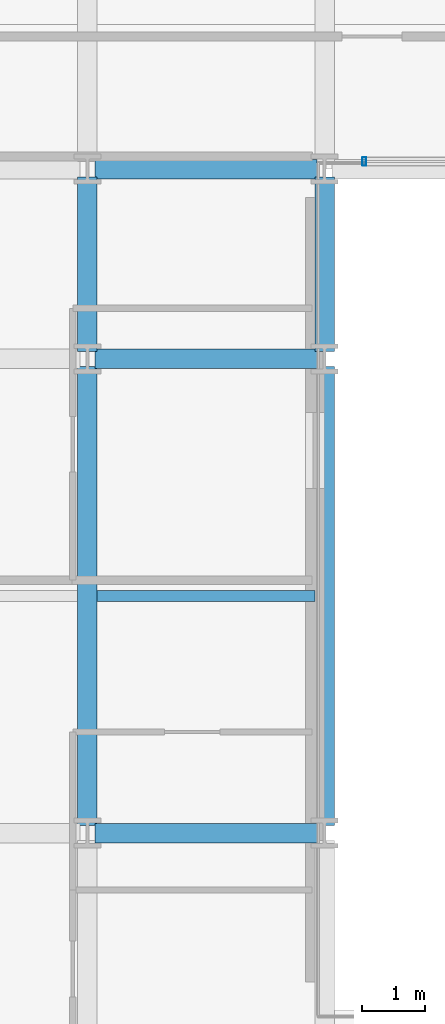
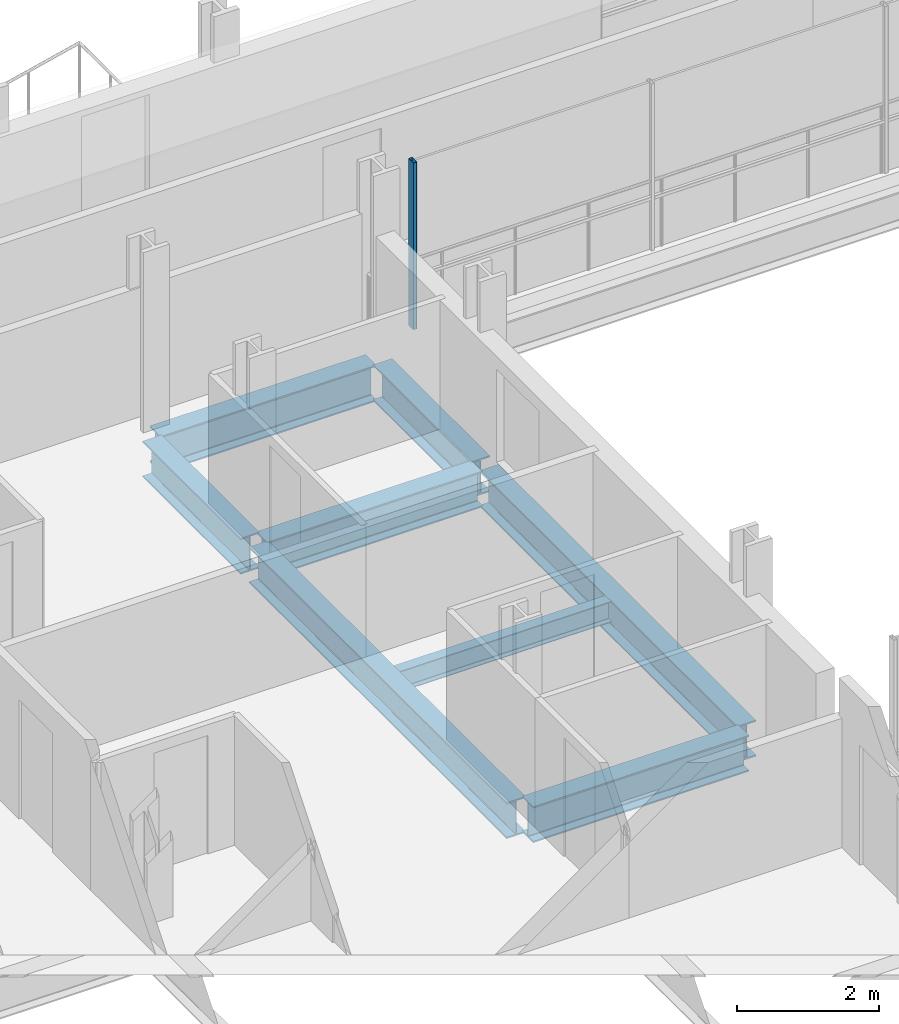
# One storey, part 8 of 38: 8 beams, 1 member, 1 element without a shape of its own.
"""IFC4 building model written with IfcOpenShell, lengths in metres."""

from ifc_helpers import new_model, si_unit, direction, frame, origin, origin_2d, place, context, subcontext, project, spatial, hollow_rectangle, i_section, extrude, material, layer, layer_set, material_profile, profile_set, type_object, element, aggregate, save


model = new_model("IFC4")

# Units and contexts
model_context = context("Model", 3, precision=1e-05, world=origin(), true_north=direction((0.0, 1.0)))
body_context = subcontext(model_context, "Body", "Model", "MODEL_VIEW")
ifc_project = project(units=[si_unit("LENGTHUNIT", "METRE"), si_unit("AREAUNIT", "SQUARE_METRE"), si_unit("VOLUMEUNIT", "CUBIC_METRE"), si_unit("PLANEANGLEUNIT", "RADIAN"), si_unit("MASSUNIT", "GRAM", prefix="KILO")], contexts=[model_context])

# Site, building, storey
site_placement = place(None, origin())
site = spatial("IfcSite", under=ifc_project, at=site_placement, CompositionType="ELEMENT")
building_placement = place(site_placement, origin())
building = spatial("IfcBuilding", under=site, at=building_placement, Name="Brevholm Reach", CompositionType="ELEMENT")
storey_placement = place(building_placement, frame((0.0, 0.0, 46.60009765625)))
storey = spatial("IfcBuildingStorey", under=building, at=storey_placement, Name="L12", CompositionType="ELEMENT", Elevation=46.60009765625)

# Beams
ifc_material_1 = material(Name="Structural Steel S355J2", Category="steel")
ifc_material_profile_1 = material_profile(ifc_material_1, i_section(OverallWidth=0.17138671875, OverallDepth=0.35498046875, WebThickness=0.00732421875, FlangeThickness=0.011474609375, FilletRadius=0.01025390625, at=origin_2d()), Name="UKB 356x171x51")
ifc_profile_set_1 = profile_set([ifc_material_profile_1], Name="Structural Steel S355J2")
beam_type_1 = type_object("IfcBeamType", Name="BM-B356", PredefinedType="BEAM", material=ifc_profile_set_1)
beam_1_placement = place(storey_placement, frame((18.153564453125, 19.75, -0.40771484375), z_axis=(1.0, 0.0, 0.0), x_axis=(0.0, 1.0, 0.0)))
element("IfcBeam", 1, at=beam_1_placement, inside=storey, type_object=beam_type_1, Name="L12 Composite Secondary Floor Beam", PredefinedType="BEAM", context=body_context, shape_type="SweptSolid", body=[
    extrude(i_section(OverallWidth=0.17138671875, OverallDepth=0.35498046875, WebThickness=0.00732421875, FlangeThickness=0.011474609375, FilletRadius=0.01025390625, at=origin_2d()), origin(), (0.0, 0.0, 1.0), 3.44287109375),
])
ifc_material_2 = material(Name="Structural Steel S355J2", Category="steel")
ifc_material_profile_2 = material_profile(ifc_material_2, i_section(OverallWidth=0.30712890625, OverallDepth=0.6201171875, WebThickness=0.01416015625, FlangeThickness=0.023681640625, FilletRadius=0.0166015625, at=origin_2d()), Name="UKB 610x305x179")
ifc_profile_set_2 = profile_set([ifc_material_profile_2], Name="Structural Steel S355J2")
beam_type_2 = type_object("IfcBeamType", Name="BM-UKB610H", PredefinedType="USERDEFINED", material=ifc_profile_set_2)
for number, where, z_axis, x_axis, name in (
    (2, (18.1201171875, 16.0, -0.540283203125), (1.0, 0.0, 0.0), (0.0, 1.0, 0.0), "L12 G-06 Framing Beam"),
    (3, (18.1201171875, 23.5, -0.540283203125), (1.0, 0.0, 0.0), (0.0, 1.0, 0.0), "L12 G-06 Framing Beam"),
    (4, (18.1201171875, 26.5, -0.540283203125), (1.0, 0.0, 0.0), (0.0, 1.0, 0.0), "L12 G-06 Framing Beam"),
):
    element("IfcBeam", number, at=place(storey_placement, frame(where, z_axis=z_axis, x_axis=x_axis)), inside=storey, type_object=beam_type_2, Name=name, ObjectType="GIRDER", PredefinedType="USERDEFINED", context=body_context, shape_type="SweptSolid", body=[
        extrude(i_section(OverallWidth=0.30712890625, OverallDepth=0.6201171875, WebThickness=0.01416015625, FlangeThickness=0.023681640625, FilletRadius=0.0166015625, at=origin_2d()), origin(), (0.0, 0.0, 1.0), 3.509765625),
    ])
beam_2_placement = place(storey_placement, frame((18.0, 16.1201171875, -0.540283203125), z_axis=(0.0, 1.0, 0.0), x_axis=(-1.0, 0.0, 0.0)))
element("IfcBeam", 5, at=beam_2_placement, inside=storey, type_object=beam_type_2, Name="L12 G-06 Framing Beam", ObjectType="GIRDER", PredefinedType="USERDEFINED", context=body_context, shape_type="SweptSolid", body=[
    extrude(i_section(OverallWidth=0.30712890625, OverallDepth=0.6201171875, WebThickness=0.01416015625, FlangeThickness=0.023681640625, FilletRadius=0.0166015625, at=origin_2d()), origin(), (0.0, 0.0, 1.0), 7.259765625),
])
beam_3_placement = place(storey_placement, frame((18.0, 23.6201171875, -0.540283203125), z_axis=(0.0, 1.0, 0.0), x_axis=(-1.0, 0.0, 0.0)))
element("IfcBeam", 6, at=beam_3_placement, inside=storey, type_object=beam_type_2, Name="L12 G-06 Framing Beam", ObjectType="GIRDER", PredefinedType="USERDEFINED", context=body_context, shape_type="SweptSolid", body=[
    extrude(i_section(OverallWidth=0.30712890625, OverallDepth=0.6201171875, WebThickness=0.01416015625, FlangeThickness=0.023681640625, FilletRadius=0.0166015625, at=origin_2d()), origin(), (0.0, 0.0, 1.0), 2.759765625),
])
beam_4_placement = place(storey_placement, frame((21.75, 16.1201171875, -0.540283203125), z_axis=(0.0, 1.0, 0.0), x_axis=(-1.0, 0.0, 0.0)))
element("IfcBeam", 7, at=beam_4_placement, inside=storey, type_object=beam_type_2, Name="L12 G-06 Framing Beam", ObjectType="GIRDER", PredefinedType="USERDEFINED", context=body_context, shape_type="SweptSolid", body=[
    extrude(i_section(OverallWidth=0.30712890625, OverallDepth=0.6201171875, WebThickness=0.01416015625, FlangeThickness=0.023681640625, FilletRadius=0.0166015625, at=origin_2d()), origin(), (0.0, 0.0, 1.0), 7.259765625),
])
beam_5_placement = place(storey_placement, frame((21.75, 23.6201171875, -0.540283203125), z_axis=(0.0, 1.0, 0.0), x_axis=(-1.0, 0.0, 0.0)))
element("IfcBeam", 8, at=beam_5_placement, inside=storey, type_object=beam_type_2, Name="L12 G-06 Framing Beam", ObjectType="GIRDER", PredefinedType="USERDEFINED", context=body_context, shape_type="SweptSolid", body=[
    extrude(i_section(OverallWidth=0.30712890625, OverallDepth=0.6201171875, WebThickness=0.01416015625, FlangeThickness=0.023681640625, FilletRadius=0.0166015625, at=origin_2d()), origin(), (0.0, 0.0, 1.0), 2.759765625),
])

# Curtain wall, member
ifc_material_3 = material(Name="Dark Anodised Aluminium 6063-T6 and Solar-Control Glass", Category="aluminium")
ifc_layer = layer(ifc_material_3, 0.139892578125)
ifc_layer_set = layer_set([ifc_layer], Name="Dark Anodised Aluminium 6063-T6 and Solar-Control Glass")
curtain_wall_type = type_object("IfcCurtainWallType", Name="CW-02", PredefinedType="NOTDEFINED", material=ifc_layer_set)
curtain_wall_placement = place(storey_placement, origin())
curtain_wall = element("IfcCurtainWall", 9, at=curtain_wall_placement, inside=storey, type_object=curtain_wall_type, Name="L12 Curtain Wall CW-02", PredefinedType="NOTDEFINED")
ifc_material_4 = material(Name="Dark Anodised Aluminium 6063-T6", Category="aluminium")
ifc_material_profile_3 = material_profile(ifc_material_4, hollow_rectangle(XDim=0.06005859375, YDim=0.139892578125, WallThickness=0.0048828125, InnerFilletRadius=0.0048828125, OuterFilletRadius=0.010009765625, at=origin_2d()), Name="RHS 140x60x5")
ifc_profile_set_3 = profile_set([ifc_material_profile_3], Name="Dark Anodised Aluminium 6063-T6")
member_type = type_object("IfcMemberType", Name="CWM-140", PredefinedType="MULLION", material=ifc_profile_set_3)
member_placement = place(storey_placement, frame((22.3798828125, 26.6201171875, 0.0), z_axis=(0.0, 0.0, 1.0), x_axis=(-1.0, 0.0, 0.0)))
member = element("IfcMember", 10, at=member_placement, type_object=member_type, Name="CM-140 Mullion 5", PredefinedType="MULLION", context=body_context, shape_type="SweptSolid", body=[
    extrude(hollow_rectangle(XDim=0.06005859375, YDim=0.139892578125, WallThickness=0.0048828125, InnerFilletRadius=0.0048828125, OuterFilletRadius=0.010009765625, at=origin_2d()), origin(), (0.0, 0.0, 1.0), 2.869873046875),
])
aggregate(curtain_wall, [member])

save(model, "model.ifc")
